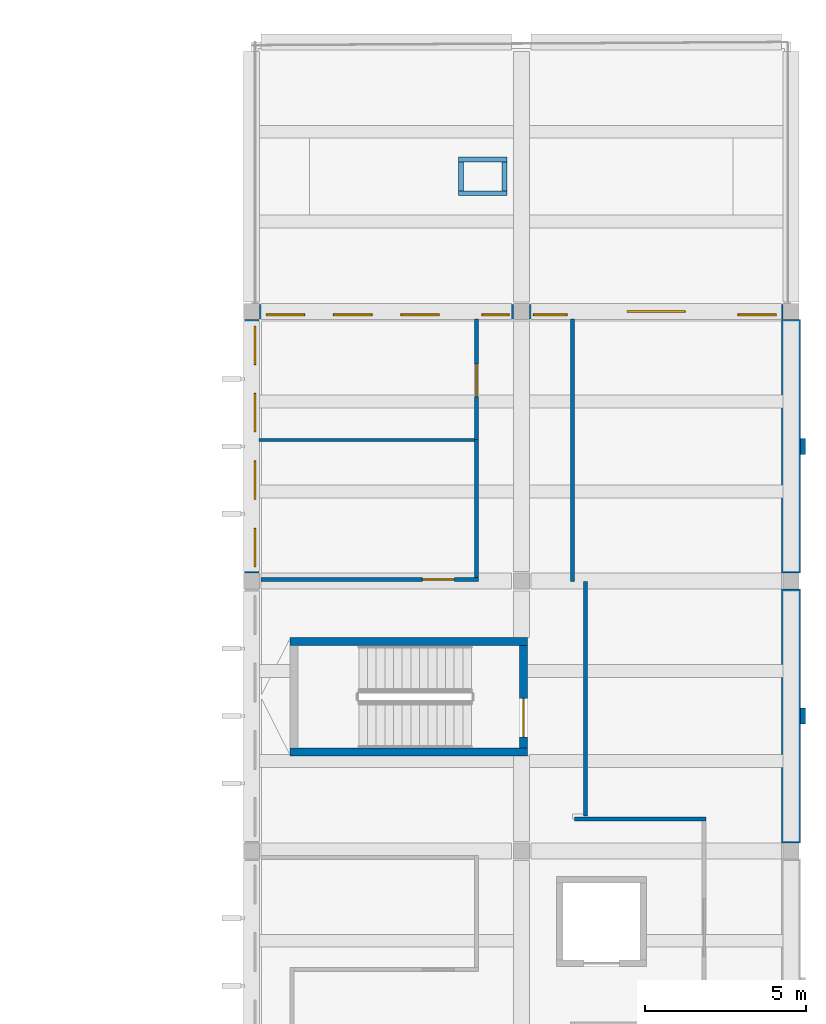
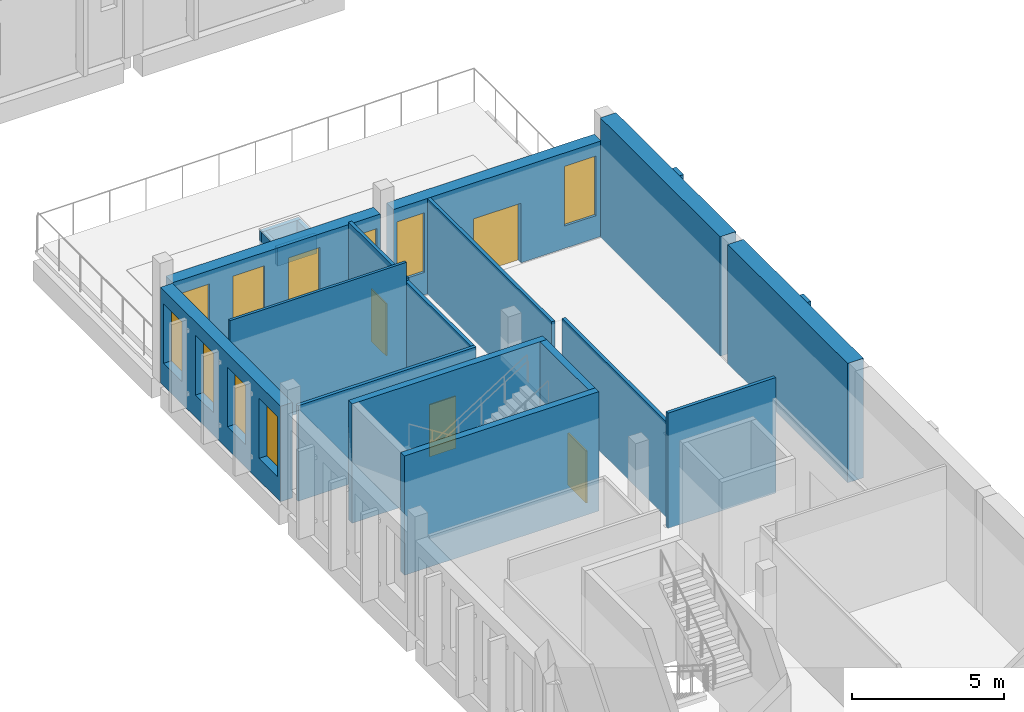
# One storey, part 17 of 79: 21 walls, 10 windows, 4 doors, 14 openings.
"""IFC4 building model written with IfcOpenShell, lengths in metres."""

from ifc_helpers import new_model, si_unit, direction, frame, frame_2d, origin, place, context, subcontext, project, spatial, rectangle, extrude, material, layer, layer_set, type_object, element, fill, save


model = new_model("IFC4")

# Units and contexts
model_context = context("Model", 3, precision=1e-05, world=origin(), true_north=direction((0.0, 1.0)))
body_context = subcontext(model_context, "Body", "Model", "MODEL_VIEW")
ifc_project = project(units=[si_unit("LENGTHUNIT", "METRE"), si_unit("AREAUNIT", "SQUARE_METRE"), si_unit("VOLUMEUNIT", "CUBIC_METRE"), si_unit("PLANEANGLEUNIT", "RADIAN"), si_unit("MASSUNIT", "GRAM", prefix="KILO")], contexts=[model_context])

# Site, building, storey
site_placement = place(None, origin())
site = spatial("IfcSite", under=ifc_project, at=site_placement, CompositionType="ELEMENT")
building_placement = place(site_placement, origin())
building = spatial("IfcBuilding", under=site, at=building_placement, Name="Larchfold Concert Hall", CompositionType="ELEMENT")
storey_placement = place(building_placement, frame((0.0, 0.0, 14.39990234375)))
storey = spatial("IfcBuildingStorey", under=building, at=storey_placement, Name="L03", CompositionType="ELEMENT", Elevation=14.39990234375)

# Wall, opening, door
ifc_material_1 = material(Name="Plasterboard partition on steel studs", Category="steel")
ifc_layer_1 = layer(ifc_material_1, 0.125)
ifc_layer_set_1 = layer_set([ifc_layer_1], Name="Plasterboard partition on steel studs")
wall_type_1 = type_object("IfcWallType", Name="Corridor partition 125 EI 60", PredefinedType="PARTITIONING", material=ifc_layer_set_1)
wall_1_placement = place(storey_placement, frame((84.89990234375, 42.64892578125, 0.0), z_axis=(0.0, 0.0, 1.0), x_axis=(1.0, 0.0, 0.0)))
wall_1 = element("IfcWall", 1, at=wall_1_placement, inside=storey, type_object=wall_type_1, Name="Partition IW0032", PredefinedType="PARTITIONING", context=body_context, shape_type="SweptSolid", body=[
    extrude(rectangle(XDim=6.763671875, YDim=0.125, at=frame_2d((3.3818359375, 0.0))), origin(), (0.0, 0.0, 1.0), 3.840087890625),
])
opening_1_placement = place(wall_1_placement, frame((5.015625, 0.0, 0.0)))
opening_1 = element("IfcOpeningElement", 2, at=opening_1_placement, cuts=wall_1, Name="Opening D-L03-113", PredefinedType="OPENING", context=body_context, shape_type="SweptSolid", body=[
    extrude(rectangle(XDim=1.0, YDim=2.10009765625, at=frame_2d((0.5, 1.050048828125))), frame((0.0, 0.072509765625, 0.0), z_axis=(0.0, -1.0, 0.0), x_axis=(1.0, 0.0, 0.0)), (0.0, 0.0, 1.0), 0.14501953125),
])
ifc_material_2 = material(Name="Timber door leaf", Category="wood")
door_type_1 = type_object("IfcDoorType", Name="Room door 1000 x 2100 FD30S", OperationType="SINGLE_SWING_LEFT", PredefinedType="DOOR", material=ifc_material_2)
door_1_placement = place(opening_1_placement, origin())
door_1 = element("IfcDoor", 3, at=door_1_placement, inside=storey, type_object=door_type_1, Name="Door D-L03-113", OperationType="SINGLE_SWING_LEFT", OverallHeight=2.10009765625, OverallWidth=1.0, PredefinedType="DOOR", context=body_context, shape_type="SweptSolid", body=[
    extrude(rectangle(XDim=1.0, YDim=2.10009765625, at=frame_2d((0.5, 1.050048828125))), frame((0.0, 0.02490234375, 0.0), z_axis=(0.0, -1.0, 0.0), x_axis=(1.0, 0.0, 0.0)), (0.0, 0.0, 1.0), 0.050048828125),
])
fill(opening_1, door_1)

# Wall
wall_2_placement = place(storey_placement, frame((91.60107421875, 42.71142578125, 0.0), z_axis=(0.0, 0.0, 1.0), x_axis=(-0.000226654573, 0.999999974314, 0.0)))
element("IfcWall", 4, at=wall_2_placement, inside=storey, type_object=wall_type_1, Name="Partition IW0033", PredefinedType="PARTITIONING", context=body_context, shape_type="SweptSolid", body=[
    extrude(rectangle(XDim=4.30859375, YDim=0.125, at=frame_2d((2.154296875, 0.0))), origin(), (0.0, 0.0, 1.0), 3.840087890625),
])

# Wall, opening, door
wall_3_placement = place(storey_placement, frame((91.60009765625, 47.02001953125, 0.0), z_axis=(0.0, 0.0, 1.0), x_axis=(0.0, 1.0, 0.0)))
wall_3 = element("IfcWall", 5, at=wall_3_placement, inside=storey, type_object=wall_type_1, Name="Partition IW0034", PredefinedType="PARTITIONING", context=body_context, shape_type="SweptSolid", body=[
    extrude(rectangle(XDim=3.7548828125, YDim=0.125, at=frame_2d((1.87744140625, 0.0))), origin(), (0.0, 0.0, 1.0), 3.93994140625),
])
opening_2_placement = place(wall_3_placement, frame((1.340087890625, 0.0, 0.0)))
opening_2 = element("IfcOpeningElement", 6, at=opening_2_placement, cuts=wall_3, Name="Opening D-L03-114", PredefinedType="OPENING", context=body_context, shape_type="SweptSolid", body=[
    extrude(rectangle(XDim=1.0, YDim=2.10009765625, at=frame_2d((0.5, 1.050048828125))), frame((0.0, 0.072509765625, 0.0), z_axis=(0.0, -1.0, 0.0), x_axis=(1.0, 0.0, 0.0)), (0.0, 0.0, 1.0), 0.14501953125),
])
door_2_placement = place(opening_2_placement, origin())
door_2 = element("IfcDoor", 7, at=door_2_placement, inside=storey, type_object=door_type_1, Name="Door D-L03-114", OperationType="SINGLE_SWING_LEFT", OverallHeight=2.10009765625, OverallWidth=1.0, PredefinedType="DOOR", context=body_context, shape_type="SweptSolid", body=[
    extrude(rectangle(XDim=1.0, YDim=2.10009765625, at=frame_2d((0.5, 1.050048828125))), frame((0.0, 0.02490234375, 0.0), z_axis=(0.0, -1.0, 0.0), x_axis=(1.0, 0.0, 0.0)), (0.0, 0.0, 1.0), 0.050048828125),
])
fill(opening_2, door_2)

# Walls
wall_4_placement = place(storey_placement, frame((94.60009765625, 50.77490234375, 0.0), z_axis=(0.0, 0.0, 1.0), x_axis=(-0.00014909351, -0.999999988886, 0.0)))
element("IfcWall", 8, at=wall_4_placement, inside=storey, type_object=wall_type_1, Name="Partition IW0035", PredefinedType="PARTITIONING", context=body_context, shape_type="SweptSolid", body=[
    extrude(rectangle(XDim=8.1875, YDim=0.125, at=frame_2d((4.09375, 0.0))), origin(), (0.0, 0.0, 1.0), 3.840087890625),
])
wall_5_placement = place(storey_placement, frame((94.9990234375, 42.58642578125, 0.0), z_axis=(0.0, 0.0, 1.0), x_axis=(0.0, -1.0, 0.0)))
element("IfcWall", 9, at=wall_5_placement, inside=storey, type_object=wall_type_1, Name="Partition IW0036", PredefinedType="PARTITIONING", context=body_context, shape_type="SweptSolid", body=[
    extrude(rectangle(XDim=7.2978515625, YDim=0.125, at=frame_2d((3.64892578125, 0.0))), origin(), (0.0, 0.0, 1.0), 3.840087890625),
])
wall_6_placement = place(storey_placement, frame((94.66162109375, 35.199951171875, 0.0), z_axis=(0.0, 0.0, 1.0), x_axis=(0.999999971632, -0.000238194479, 0.0)))
element("IfcWall", 10, at=wall_6_placement, inside=storey, type_object=wall_type_1, Name="Partition IW0037", PredefinedType="PARTITIONING", context=body_context, shape_type="SweptSolid", body=[
    extrude(rectangle(XDim=4.099853515625, YDim=0.125, at=frame_2d((2.0498046875, 0.0))), origin(), (0.0, 0.0, 1.0), 4.64013671875),
])
ifc_material_3 = material(Name="Insulated steel upstand S355", Category="steel")
ifc_layer_2 = layer(ifc_material_3, 0.14990234375)
ifc_layer_set_2 = layer_set([ifc_layer_2], Name="Insulated steel upstand S355")
wall_type_2 = type_object("IfcWallType", Name="Roof hatch curb 150", PredefinedType="PARAPET", material=ifc_layer_set_2)
for number, where, z_axis, x_axis, name in (
    (11, (91.050048828125, 54.68505859375, 0.0), (0.0, 0.0, 1.0), (1.0, 0.0, 0.0), "Roof upstand curb HC13"),
    (12, (91.050048828125, 55.73486328125, 0.0), (0.0, 0.0, 1.0), (1.0, 0.0, 0.0), "Roof upstand curb HC14"),
):
    element("IfcWall", number, at=place(storey_placement, frame(where, z_axis=z_axis, x_axis=x_axis)), inside=storey, type_object=wall_type_2, Name=name, PredefinedType="PARAPET", context=body_context, shape_type="SweptSolid", body=[
        extrude(rectangle(XDim=1.5, YDim=0.14990234375, at=frame_2d((0.75, 0.0))), origin(), (0.0, 0.0, 1.0), 0.739990234375),
    ])
for number, where, z_axis, x_axis, name in (
    (13, (91.125, 54.760009765625, 0.0), (0.0, 0.0, 1.0), (0.0, 1.0, 0.0), "Roof upstand curb HC15"),
    (14, (92.47509765625, 54.760009765625, 0.0), (0.0, 0.0, 1.0), (0.0, 1.0, 0.0), "Roof upstand curb HC16"),
):
    element("IfcWall", number, at=place(storey_placement, frame(where, z_axis=z_axis, x_axis=x_axis)), inside=storey, type_object=wall_type_2, Name=name, PredefinedType="PARAPET", context=body_context, shape_type="SweptSolid", body=[
        extrude(rectangle(XDim=0.89990234375, YDim=0.14990234375, at=frame_2d((0.449951171875, 0.0))), origin(), (0.0, 0.0, 1.0), 0.739990234375),
    ])
ifc_material_4 = material(Name="Plasterboard partition on steel studs", Category="steel")
ifc_layer_3 = layer(ifc_material_4, 0.10009765625)
ifc_layer_set_3 = layer_set([ifc_layer_3], Name="Plasterboard partition on steel studs")
wall_type_3 = type_object("IfcWallType", Name="Stud partition 100", PredefinedType="PARTITIONING", material=ifc_layer_set_3)
wall_7_placement = place(storey_placement, frame((84.8251953125, 47.0, 0.0), z_axis=(0.0, 0.0, 1.0), x_axis=(1.0, 0.0, 0.0)))
element("IfcWall", 15, at=wall_7_placement, inside=storey, type_object=wall_type_3, Name="Partition IW0043", PredefinedType="PARTITIONING", context=body_context, shape_type="SweptSolid", body=[
    extrude(rectangle(XDim=6.709716796875, YDim=0.10009765625, at=frame_2d((3.35498046875, 0.0))), origin(), (0.0, 0.0, 1.0), 4.64013671875),
])
ifc_material_5 = material(Name="Concrete C40/50", Category="concrete")
ifc_layer_4 = layer(ifc_material_5, 0.25)
ifc_layer_set_4 = layer_set([ifc_layer_4], Name="Concrete C40/50")
wall_type_4 = type_object("IfcWallType", Name="Wall RC 250 stair core", PredefinedType="SOLIDWALL", material=ifc_layer_set_4)
for number, where, z_axis, x_axis, name in (
    (16, (85.800048828125, 37.27490234375, 0.0), (0.0, 0.0, 1.0), (1.0, 0.0, 0.0), "Wall W0086"),
    (17, (85.800048828125, 40.72509765625, 0.0), (0.0, 0.0, 1.0), (1.0, 0.0, 0.0), "Wall W0087"),
):
    element("IfcWall", number, at=place(storey_placement, frame(where, z_axis=z_axis, x_axis=x_axis)), inside=storey, type_object=wall_type_4, Name=name, PredefinedType="SOLIDWALL", context=body_context, shape_type="SweptSolid", body=[
        extrude(rectangle(XDim=7.39990234375, YDim=0.25, at=frame_2d((3.699951171875, 0.0))), origin(), (0.0, 0.0, 1.0), 4.800048828125),
    ])

# Wall, opening, door
wall_8_placement = place(storey_placement, frame((93.074951171875, 37.39990234375, 0.0), z_axis=(0.0, 0.0, 1.0), x_axis=(0.0, 1.0, 0.0)))
wall_8 = element("IfcWall", 18, at=wall_8_placement, inside=storey, type_object=wall_type_4, Name="Wall W0089", PredefinedType="SOLIDWALL", context=body_context, shape_type="SweptSolid", body=[
    extrude(rectangle(XDim=3.2001953125, YDim=0.25, at=frame_2d((1.60009765625, 0.0))), origin(), (0.0, 0.0, 1.0), 4.800048828125),
])
opening_3_placement = place(wall_8_placement, frame((0.35009765625, 0.0, 0.0)))
opening_3 = element("IfcOpeningElement", 19, at=opening_3_placement, cuts=wall_8, Name="Opening D-L03-143", PredefinedType="OPENING", context=body_context, shape_type="SweptSolid", body=[
    extrude(rectangle(XDim=1.199951171875, YDim=2.10009765625, at=frame_2d((0.60009765625, 1.050048828125))), frame((0.0, 0.135009765625, 0.0), z_axis=(0.0, -1.0, 0.0), x_axis=(1.0, 0.0, 0.0)), (0.0, 0.0, 1.0), 0.27001953125),
])
ifc_material_6 = material(Name="Timber door leaf", Category="wood")
door_type_2 = type_object("IfcDoorType", Name="Stair enclosure door pair 1200 x 2100 FD60", OperationType="SINGLE_SWING_LEFT", PredefinedType="DOOR", material=ifc_material_6)
door_3_placement = place(opening_3_placement, origin())
door_3 = element("IfcDoor", 20, at=door_3_placement, inside=storey, type_object=door_type_2, Name="Door D-L03-143", OperationType="DOUBLE_DOOR_SINGLE_SWING", OverallHeight=2.10009765625, OverallWidth=1.199951171875, PredefinedType="DOOR", context=body_context, shape_type="SweptSolid", body=[
    extrude(rectangle(XDim=1.199951171875, YDim=2.10009765625, at=frame_2d((0.60009765625, 1.050048828125))), frame((0.0, 0.02490234375, 0.0), z_axis=(0.0, -1.0, 0.0), x_axis=(1.0, 0.0, 0.0)), (0.0, 0.0, 1.0), 0.050048828125),
])
fill(opening_3, door_3)

# Walls
ifc_material_7 = material(Name="Concrete C40/50", Category="concrete")
ifc_layer_5 = layer(ifc_material_7, 0.60009765625)
ifc_layer_set_5 = layer_set([ifc_layer_5], Name="Concrete C40/50")
wall_type_5 = type_object("IfcWallType", Name="Wall RC 600 party wall", PredefinedType="SOLIDWALL", material=ifc_layer_set_5)
wall_9_placement = place(storey_placement, frame((101.39990234375, 34.449951171875, 0.0), z_axis=(0.0, 0.0, 1.0), x_axis=(0.0, 1.0, 0.0)))
element("IfcWall", 21, at=wall_9_placement, inside=storey, type_object=wall_type_5, Name="Wall W0024", PredefinedType="SOLIDWALL", context=body_context, shape_type="SweptSolid", body=[
    extrude(rectangle(XDim=7.900146484375, YDim=0.60009765625, at=frame_2d((3.9501953125, 0.0))), origin(), (0.0, 0.0, 1.0), 4.800048828125),
])
wall_10_placement = place(storey_placement, frame((101.39990234375, 42.85009765625, 0.0), z_axis=(0.0, 0.0, 1.0), x_axis=(0.0, 1.0, 0.0)))
element("IfcWall", 22, at=wall_10_placement, inside=storey, type_object=wall_type_5, Name="Wall W0025", PredefinedType="SOLIDWALL", context=body_context, shape_type="SweptSolid", body=[
    extrude(rectangle(XDim=7.89990234375, YDim=0.60009765625, at=frame_2d((3.949951171875, 0.0))), origin(), (0.0, 0.0, 1.0), 4.800048828125),
])

# Wall, openings, door, windows
ifc_material_8 = material(Name="White render on mineral wool and block")
ifc_layer_6 = layer(ifc_material_8, 0.449951171875)
ifc_layer_set_6 = layer_set([ifc_layer_6], Name="White render on mineral wool and block")
wall_type_6 = type_object("IfcWallType", Name="White render infill wall 450", PredefinedType="SOLIDWALL", material=ifc_layer_set_6)
wall_11_placement = place(storey_placement, frame((101.14990234375, 51.0, 0.0), z_axis=(0.0, 0.0, 1.0), x_axis=(-1.0, 0.0, 0.0)))
wall_11 = element("IfcWall", 23, at=wall_11_placement, inside=storey, type_object=wall_type_6, Name="Infill wall W5156", PredefinedType="SOLIDWALL", context=body_context, shape_type="SweptSolid", body=[
    extrude(rectangle(XDim=7.89990234375, YDim=0.449951171875, at=frame_2d((3.949951171875, 0.0))), origin(), (0.0, 0.0, 1.0), 3.840087890625),
])
opening_4_placement = place(wall_11_placement, frame((3.050048828125, 0.0, 0.0)))
opening_4 = element("IfcOpeningElement", 24, at=opening_4_placement, cuts=wall_11, Name="Opening D-L03-203", PredefinedType="OPENING", context=body_context, shape_type="SweptSolid", body=[
    extrude(rectangle(XDim=1.800048828125, YDim=2.39990234375, at=frame_2d((0.89990234375, 1.199951171875))), frame((0.0, 0.23486328125, 0.0), z_axis=(0.0, -1.0, 0.0), x_axis=(1.0, 0.0, 0.0)), (0.0, 0.0, 1.0), 0.469970703125),
])
opening_5_placement = place(wall_11_placement, frame((6.7216796875, 0.0, 0.89990234375)))
opening_5 = element("IfcOpeningElement", 25, at=opening_5_placement, cuts=wall_11, Name="Opening WN-L03-061", PredefinedType="OPENING", context=body_context, shape_type="SweptSolid", body=[
    extrude(rectangle(XDim=1.050048828125, YDim=2.39990234375, at=frame_2d((0.52490234375, 1.199951171875))), frame((0.0, 0.23486328125, 0.0), z_axis=(0.0, -1.0, 0.0), x_axis=(1.0, 0.0, 0.0)), (0.0, 0.0, 1.0), 0.469970703125),
])
opening_6_placement = place(wall_11_placement, frame((0.199951171875, 0.0, 0.89990234375)))
opening_6 = element("IfcOpeningElement", 26, at=opening_6_placement, cuts=wall_11, Name="Opening WN-L03-062", PredefinedType="OPENING", context=body_context, shape_type="SweptSolid", body=[
    extrude(rectangle(XDim=1.199951171875, YDim=2.39990234375, at=frame_2d((0.60009765625, 1.199951171875))), frame((0.0, 0.23486328125, 0.0), z_axis=(0.0, -1.0, 0.0), x_axis=(1.0, 0.0, 0.0)), (0.0, 0.0, 1.0), 0.469970703125),
])
ifc_material_9 = material(Name="Anodised graphite aluminium door leaf", Category="aluminium")
door_type_3 = type_object("IfcDoorType", Name="Double door 1800x2400", OperationType="DOUBLE_DOOR_SINGLE_SWING", PredefinedType="DOOR", material=ifc_material_9)
door_4_placement = place(opening_4_placement, origin())
door_4 = element("IfcDoor", 27, at=door_4_placement, inside=storey, type_object=door_type_3, Name="Door D-L03-203", OperationType="DOUBLE_DOOR_SINGLE_SWING", OverallHeight=2.39990234375, OverallWidth=1.800048828125, PredefinedType="DOOR", context=body_context, shape_type="SweptSolid", body=[
    extrude(rectangle(XDim=1.800048828125, YDim=2.39990234375, at=frame_2d((0.89990234375, 1.199951171875))), frame((0.0, 0.02490234375, 0.0), z_axis=(0.0, -1.0, 0.0), x_axis=(1.0, 0.0, 0.0)), (0.0, 0.0, 1.0), 0.050048828125),
])
fill(opening_4, door_4)
ifc_material_10 = material(Name="Anodised graphite aluminium frame with glass", Category="aluminium")
window_type_1 = type_object("IfcWindowType", Name="Slot window 1050x2400", PartitioningType="SINGLE_PANEL", PredefinedType="WINDOW", material=ifc_material_10)
window_1_placement = place(opening_5_placement, origin())
window_1 = element("IfcWindow", 28, at=window_1_placement, inside=storey, type_object=window_type_1, Name="Window WN-L03-061", OverallHeight=2.39990234375, OverallWidth=1.050048828125, PartitioningType="SINGLE_PANEL", PredefinedType="WINDOW", context=body_context, shape_type="SweptSolid", body=[
    extrude(rectangle(XDim=1.050048828125, YDim=2.39990234375, at=frame_2d((0.52490234375, 1.199951171875))), frame((0.0, 0.135009765625, 0.0), z_axis=(0.0, -1.0, 0.0), x_axis=(1.0, 0.0, 0.0)), (0.0, 0.0, 1.0), 0.06005859375),
])
fill(opening_5, window_1)
ifc_material_11 = material(Name="Anodised graphite aluminium frame with glass", Category="aluminium")
window_type_2 = type_object("IfcWindowType", Name="Slot window 1200x2400", PartitioningType="SINGLE_PANEL", PredefinedType="WINDOW", material=ifc_material_11)
window_2_placement = place(opening_6_placement, origin())
window_2 = element("IfcWindow", 29, at=window_2_placement, inside=storey, type_object=window_type_2, Name="Window WN-L03-062", OverallHeight=2.39990234375, OverallWidth=1.199951171875, PartitioningType="SINGLE_PANEL", PredefinedType="WINDOW", context=body_context, shape_type="SweptSolid", body=[
    extrude(rectangle(XDim=1.199951171875, YDim=2.39990234375, at=frame_2d((0.60009765625, 1.199951171875))), frame((0.0, 0.135009765625, 0.0), z_axis=(0.0, -1.0, 0.0), x_axis=(1.0, 0.0, 0.0)), (0.0, 0.0, 1.0), 0.06005859375),
])
fill(opening_6, window_2)

# Wall, openings, windows
wall_12_placement = place(storey_placement, frame((92.75, 51.0, 0.0), z_axis=(0.0, 0.0, 1.0), x_axis=(-1.0, 0.0, 0.0)))
wall_12 = element("IfcWall", 30, at=wall_12_placement, inside=storey, type_object=wall_type_6, Name="Infill wall W5157", PredefinedType="SOLIDWALL", context=body_context, shape_type="SweptSolid", body=[
    extrude(rectangle(XDim=7.89990234375, YDim=0.449951171875, at=frame_2d((3.949951171875, 0.0))), origin(), (0.0, 0.0, 1.0), 3.840087890625),
])
opening_7_placement = place(wall_12_placement, frame((6.5, 0.0, 0.89990234375)))
opening_7 = element("IfcOpeningElement", 31, at=opening_7_placement, cuts=wall_12, Name="Opening WN-L03-063", PredefinedType="OPENING", context=body_context, shape_type="SweptSolid", body=[
    extrude(rectangle(XDim=1.199951171875, YDim=2.39990234375, at=frame_2d((0.60009765625, 1.199951171875))), frame((0.0, 0.23486328125, 0.0), z_axis=(0.0, -1.0, 0.0), x_axis=(1.0, 0.0, 0.0)), (0.0, 0.0, 1.0), 0.469970703125),
])
opening_8_placement = place(wall_12_placement, frame((4.39990234375, 0.0, 0.89990234375)))
opening_8 = element("IfcOpeningElement", 32, at=opening_8_placement, cuts=wall_12, Name="Opening WN-L03-064", PredefinedType="OPENING", context=body_context, shape_type="SweptSolid", body=[
    extrude(rectangle(XDim=1.199951171875, YDim=2.39990234375, at=frame_2d((0.60009765625, 1.199951171875))), frame((0.0, 0.23486328125, 0.0), z_axis=(0.0, -1.0, 0.0), x_axis=(1.0, 0.0, 0.0)), (0.0, 0.0, 1.0), 0.469970703125),
])
opening_9_placement = place(wall_12_placement, frame((2.300048828125, 0.0, 0.89990234375)))
opening_9 = element("IfcOpeningElement", 33, at=opening_9_placement, cuts=wall_12, Name="Opening WN-L03-065", PredefinedType="OPENING", context=body_context, shape_type="SweptSolid", body=[
    extrude(rectangle(XDim=1.199951171875, YDim=2.39990234375, at=frame_2d((0.60009765625, 1.199951171875))), frame((0.0, 0.23486328125, 0.0), z_axis=(0.0, -1.0, 0.0), x_axis=(1.0, 0.0, 0.0)), (0.0, 0.0, 1.0), 0.469970703125),
])
opening_10_placement = place(wall_12_placement, frame((0.128662109375, 0.0, 0.89990234375)))
opening_10 = element("IfcOpeningElement", 34, at=opening_10_placement, cuts=wall_12, Name="Opening WN-L03-066", PredefinedType="OPENING", context=body_context, shape_type="SweptSolid", body=[
    extrude(rectangle(XDim=0.85009765625, YDim=2.39990234375, at=frame_2d((0.425048828125, 1.199951171875))), frame((0.0, 0.23486328125, 0.0), z_axis=(0.0, -1.0, 0.0), x_axis=(1.0, 0.0, 0.0)), (0.0, 0.0, 1.0), 0.469970703125),
])
window_3_placement = place(opening_7_placement, origin())
window_3 = element("IfcWindow", 35, at=window_3_placement, inside=storey, type_object=window_type_2, Name="Window WN-L03-063", OverallHeight=2.39990234375, OverallWidth=1.199951171875, PartitioningType="SINGLE_PANEL", PredefinedType="WINDOW", context=body_context, shape_type="SweptSolid", body=[
    extrude(rectangle(XDim=1.199951171875, YDim=2.39990234375, at=frame_2d((0.60009765625, 1.199951171875))), frame((0.0, 0.135009765625, 0.0), z_axis=(0.0, -1.0, 0.0), x_axis=(1.0, 0.0, 0.0)), (0.0, 0.0, 1.0), 0.06005859375),
])
fill(opening_7, window_3)
window_4_placement = place(opening_8_placement, origin())
window_4 = element("IfcWindow", 36, at=window_4_placement, inside=storey, type_object=window_type_2, Name="Window WN-L03-064", OverallHeight=2.39990234375, OverallWidth=1.199951171875, PartitioningType="SINGLE_PANEL", PredefinedType="WINDOW", context=body_context, shape_type="SweptSolid", body=[
    extrude(rectangle(XDim=1.199951171875, YDim=2.39990234375, at=frame_2d((0.60009765625, 1.199951171875))), frame((0.0, 0.135009765625, 0.0), z_axis=(0.0, -1.0, 0.0), x_axis=(1.0, 0.0, 0.0)), (0.0, 0.0, 1.0), 0.06005859375),
])
fill(opening_8, window_4)
window_5_placement = place(opening_9_placement, origin())
window_5 = element("IfcWindow", 37, at=window_5_placement, inside=storey, type_object=window_type_2, Name="Window WN-L03-065", OverallHeight=2.39990234375, OverallWidth=1.199951171875, PartitioningType="SINGLE_PANEL", PredefinedType="WINDOW", context=body_context, shape_type="SweptSolid", body=[
    extrude(rectangle(XDim=1.199951171875, YDim=2.39990234375, at=frame_2d((0.60009765625, 1.199951171875))), frame((0.0, 0.135009765625, 0.0), z_axis=(0.0, -1.0, 0.0), x_axis=(1.0, 0.0, 0.0)), (0.0, 0.0, 1.0), 0.06005859375),
])
fill(opening_9, window_5)
ifc_material_12 = material(Name="Anodised graphite aluminium frame with glass", Category="aluminium")
window_type_3 = type_object("IfcWindowType", Name="Slot window 850x2400", PartitioningType="SINGLE_PANEL", PredefinedType="WINDOW", material=ifc_material_12)
window_6_placement = place(opening_10_placement, origin())
window_6 = element("IfcWindow", 38, at=window_6_placement, inside=storey, type_object=window_type_3, Name="Window WN-L03-066", OverallHeight=2.39990234375, OverallWidth=0.85009765625, PartitioningType="SINGLE_PANEL", PredefinedType="WINDOW", context=body_context, shape_type="SweptSolid", body=[
    extrude(rectangle(XDim=0.85009765625, YDim=2.39990234375, at=frame_2d((0.425048828125, 1.199951171875))), frame((0.0, 0.135009765625, 0.0), z_axis=(0.0, -1.0, 0.0), x_axis=(1.0, 0.0, 0.0)), (0.0, 0.0, 1.0), 0.06005859375),
])
fill(opening_10, window_6)

wall_13_placement = place(storey_placement, frame((84.60009765625, 50.75, 0.0), z_axis=(0.0, 0.0, 1.0), x_axis=(0.0, -1.0, 0.0)))
wall_13 = element("IfcWall", 39, at=wall_13_placement, inside=storey, type_object=wall_type_6, Name="Infill wall W5158", PredefinedType="SOLIDWALL", context=body_context, shape_type="SweptSolid", body=[
    extrude(rectangle(XDim=7.89990234375, YDim=0.449951171875, at=frame_2d((3.949951171875, 0.0))), origin(), (0.0, 0.0, 1.0), 3.840087890625),
])
opening_11_placement = place(wall_13_placement, frame((6.5, 0.0, 0.89990234375)))
opening_11 = element("IfcOpeningElement", 40, at=opening_11_placement, cuts=wall_13, Name="Opening WN-L03-067", PredefinedType="OPENING", context=body_context, shape_type="SweptSolid", body=[
    extrude(rectangle(XDim=1.199951171875, YDim=2.39990234375, at=frame_2d((0.60009765625, 1.199951171875))), frame((0.0, 0.23486328125, 0.0), z_axis=(0.0, -1.0, 0.0), x_axis=(1.0, 0.0, 0.0)), (0.0, 0.0, 1.0), 0.469970703125),
])
opening_12_placement = place(wall_13_placement, frame((4.39990234375, 0.0, 0.89990234375)))
opening_12 = element("IfcOpeningElement", 41, at=opening_12_placement, cuts=wall_13, Name="Opening WN-L03-068", PredefinedType="OPENING", context=body_context, shape_type="SweptSolid", body=[
    extrude(rectangle(XDim=1.199951171875, YDim=2.39990234375, at=frame_2d((0.60009765625, 1.199951171875))), frame((0.0, 0.23486328125, 0.0), z_axis=(0.0, -1.0, 0.0), x_axis=(1.0, 0.0, 0.0)), (0.0, 0.0, 1.0), 0.469970703125),
])
opening_13_placement = place(wall_13_placement, frame((2.300048828125, 0.0, 0.89990234375)))
opening_13 = element("IfcOpeningElement", 42, at=opening_13_placement, cuts=wall_13, Name="Opening WN-L03-069", PredefinedType="OPENING", context=body_context, shape_type="SweptSolid", body=[
    extrude(rectangle(XDim=1.199951171875, YDim=2.39990234375, at=frame_2d((0.60009765625, 1.199951171875))), frame((0.0, 0.23486328125, 0.0), z_axis=(0.0, -1.0, 0.0), x_axis=(1.0, 0.0, 0.0)), (0.0, 0.0, 1.0), 0.469970703125),
])
opening_14_placement = place(wall_13_placement, frame((0.199951171875, 0.0, 0.89990234375)))
opening_14 = element("IfcOpeningElement", 43, at=opening_14_placement, cuts=wall_13, Name="Opening WN-L03-070", PredefinedType="OPENING", context=body_context, shape_type="SweptSolid", body=[
    extrude(rectangle(XDim=1.199951171875, YDim=2.39990234375, at=frame_2d((0.60009765625, 1.199951171875))), frame((0.0, 0.23486328125, 0.0), z_axis=(0.0, -1.0, 0.0), x_axis=(1.0, 0.0, 0.0)), (0.0, 0.0, 1.0), 0.469970703125),
])
window_7_placement = place(opening_11_placement, origin())
window_7 = element("IfcWindow", 44, at=window_7_placement, inside=storey, type_object=window_type_2, Name="Window WN-L03-067", OverallHeight=2.39990234375, OverallWidth=1.199951171875, PartitioningType="SINGLE_PANEL", PredefinedType="WINDOW", context=body_context, shape_type="SweptSolid", body=[
    extrude(rectangle(XDim=1.199951171875, YDim=2.39990234375, at=frame_2d((0.60009765625, 1.199951171875))), frame((0.0, 0.135009765625, 0.0), z_axis=(0.0, -1.0, 0.0), x_axis=(1.0, 0.0, 0.0)), (0.0, 0.0, 1.0), 0.06005859375),
])
fill(opening_11, window_7)
window_8_placement = place(opening_12_placement, origin())
window_8 = element("IfcWindow", 45, at=window_8_placement, inside=storey, type_object=window_type_2, Name="Window WN-L03-068", OverallHeight=2.39990234375, OverallWidth=1.199951171875, PartitioningType="SINGLE_PANEL", PredefinedType="WINDOW", context=body_context, shape_type="SweptSolid", body=[
    extrude(rectangle(XDim=1.199951171875, YDim=2.39990234375, at=frame_2d((0.60009765625, 1.199951171875))), frame((0.0, 0.135009765625, 0.0), z_axis=(0.0, -1.0, 0.0), x_axis=(1.0, 0.0, 0.0)), (0.0, 0.0, 1.0), 0.06005859375),
])
fill(opening_12, window_8)
window_9_placement = place(opening_13_placement, origin())
window_9 = element("IfcWindow", 46, at=window_9_placement, inside=storey, type_object=window_type_2, Name="Window WN-L03-069", OverallHeight=2.39990234375, OverallWidth=1.199951171875, PartitioningType="SINGLE_PANEL", PredefinedType="WINDOW", context=body_context, shape_type="SweptSolid", body=[
    extrude(rectangle(XDim=1.199951171875, YDim=2.39990234375, at=frame_2d((0.60009765625, 1.199951171875))), frame((0.0, 0.135009765625, 0.0), z_axis=(0.0, -1.0, 0.0), x_axis=(1.0, 0.0, 0.0)), (0.0, 0.0, 1.0), 0.06005859375),
])
fill(opening_13, window_9)
window_10_placement = place(opening_14_placement, origin())
window_10 = element("IfcWindow", 47, at=window_10_placement, inside=storey, type_object=window_type_2, Name="Window WN-L03-070", OverallHeight=2.39990234375, OverallWidth=1.199951171875, PartitioningType="SINGLE_PANEL", PredefinedType="WINDOW", context=body_context, shape_type="SweptSolid", body=[
    extrude(rectangle(XDim=1.199951171875, YDim=2.39990234375, at=frame_2d((0.60009765625, 1.199951171875))), frame((0.0, 0.135009765625, 0.0), z_axis=(0.0, -1.0, 0.0), x_axis=(1.0, 0.0, 0.0)), (0.0, 0.0, 1.0), 0.06005859375),
])
fill(opening_14, window_10)

# Walls
ifc_material_13 = material(Name="White render on insulated block")
ifc_layer_7 = layer(ifc_material_13, 0.14990234375)
ifc_layer_set_7 = layer_set([ifc_layer_7], Name="White render on insulated block")
wall_type_7 = type_object("IfcWallType", Name="White render pilaster 150", PredefinedType="SOLIDWALL", material=ifc_layer_set_7)
for number, where, z_axis, x_axis, name in (
    (48, (101.77490234375, 38.14990234375, 0.0), (0.0, 0.0, 1.0), (0.0, 1.0, 0.0), "Pilaster W5363"),
    (49, (101.77490234375, 46.550048828125, 0.0), (0.0, 0.0, 1.0), (0.0, 1.0, 0.0), "Pilaster W5364"),
):
    element("IfcWall", number, at=place(storey_placement, frame(where, z_axis=z_axis, x_axis=x_axis)), inside=storey, type_object=wall_type_7, Name=name, PredefinedType="SOLIDWALL", context=body_context, shape_type="SweptSolid", body=[
        extrude(rectangle(XDim=0.5, YDim=0.14990234375, at=frame_2d((0.25, 0.0))), origin(), (0.0, 0.0, 1.0), 4.800048828125),
    ])

save(model, "model.ifc")
